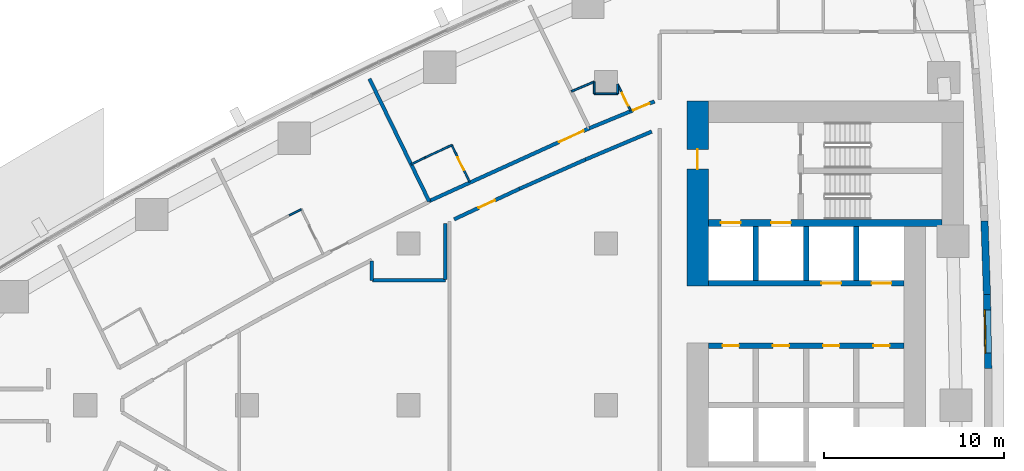
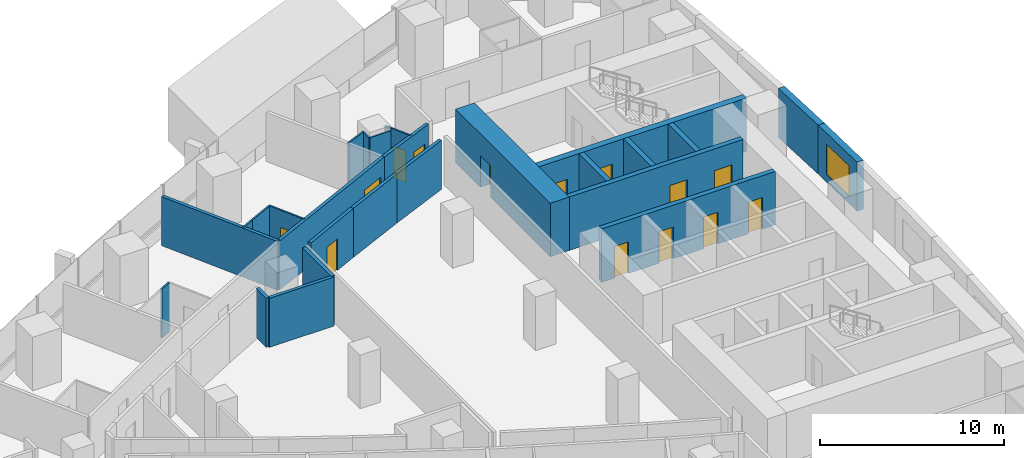
# One storey, part 12 of 19: 27 walls, 14 doors, 1 window, 15 openings.
"""IFC4 building model written with IfcOpenShell, lengths in metres."""

import ifcopenshell
import ifcopenshell.guid

model = None  # the IFC model being written
_history = None  # IfcOwnerHistory: only IFC2X3 demands one
_inside = {}  # id of a spatial element -> (the spatial element, [elements in it])
_under = {}  # id of a project, library or spatial element -> (it, [spatial elements below it])
_declared = {}  # id of a project -> (the project, [libraries it declares])
_typed = {}  # id of a type object -> (the type object, [elements of that type])
_made_of = {}  # id of a material, layer set ... -> (it, [elements and type objects made of it])


def new_model(schema):
    """Start an empty IFC model of exactly this schema.

    Asked for "IFC4X3", IfcOpenShell would pick the latest addendum, in which some entities
    have other attributes; the version numbers below select the first issue.
    IFC2X3 requires an IfcOwnerHistory on every rooted entity: one is made here for all.
    """
    global model, _history
    if schema == "IFC4X3":
        model = ifcopenshell.file(schema_version=(4, 3, 0, 0))
    else:
        model = ifcopenshell.file(schema=schema)
    _inside.clear()
    _under.clear()
    _declared.clear()
    _typed.clear()
    _made_of.clear()
    _history = None
    if model.schema == "IFC2X3":
        org = make("IfcOrganization", Name="unknown")
        user = make(
            "IfcPersonAndOrganization",
            ThePerson=make("IfcPerson", FamilyName="unknown"),
            TheOrganization=org,
        )
        app = make(
            "IfcApplication",
            ApplicationDeveloper=org,
            Version="unknown",
            ApplicationFullName="unknown",
            ApplicationIdentifier="unknown",
        )
        _history = make(
            "IfcOwnerHistory",
            OwningUser=user,
            OwningApplication=app,
            ChangeAction="ADDED",
            CreationDate=0,
        )
    return model


def make(cls, **values):
    """One entity of the class cls with the attributes given. An attribute that is None is left unset."""
    return model.create_entity(
        cls, **{name: value for name, value in values.items() if value is not None}
    )


def rooted(cls, **values):
    """An entity with a GlobalId (a new one), such as an element, a storey or a relation."""
    return make(cls, GlobalId=ifcopenshell.guid.new(), OwnerHistory=_history, **values)


def si_unit(unit_type, name, prefix=None):
    """IfcSIUnit, for example si_unit("LENGTHUNIT", "METRE", prefix="MILLI")."""
    return make("IfcSIUnit", UnitType=unit_type, Prefix=prefix, Name=name)


def assignment(units):
    """IfcUnitAssignment: the units of a project."""
    return None if units is None else make("IfcUnitAssignment", Units=units)


def point(xyz):
    """IfcCartesianPoint."""
    return None if xyz is None else make("IfcCartesianPoint", Coordinates=xyz)


def direction(xyz):
    """IfcDirection."""
    return None if xyz is None else make("IfcDirection", DirectionRatios=xyz)


def frame(location, z_axis=None, x_axis=None):
    """IfcAxis2Placement3D, a coordinate frame: its origin and axes. An axis left out is left unset."""
    return make(
        "IfcAxis2Placement3D",
        Location=point(location),
        Axis=direction(z_axis),
        RefDirection=direction(x_axis),
    )


def frame_2d(location, x_axis=None):
    """IfcAxis2Placement2D, a coordinate frame in the plane: its origin and x axis."""
    return make(
        "IfcAxis2Placement2D", Location=point(location), RefDirection=direction(x_axis)
    )


def origin():
    """The frame at (0, 0, 0) with its axes left unset."""
    return frame((0.0, 0.0, 0.0))


def place(relative_to, where):
    """IfcLocalPlacement: puts the frame where relative to a parent placement (None: the world)."""
    return make(
        "IfcLocalPlacement", PlacementRelTo=relative_to, RelativePlacement=where
    )


def context(
    kind, dimensions, precision=None, world=None, true_north=None, identifier=None
):
    """IfcGeometricRepresentationContext, for example the 3D "Model" context."""
    return make(
        "IfcGeometricRepresentationContext",
        ContextIdentifier=identifier,
        ContextType=kind,
        CoordinateSpaceDimension=dimensions,
        Precision=precision,
        WorldCoordinateSystem=world,
        TrueNorth=true_north,
    )


def subcontext(parent, identifier, kind, view, scale=None):
    """IfcGeometricRepresentationSubContext, for example "Body" below "Model"."""
    return make(
        "IfcGeometricRepresentationSubContext",
        ContextIdentifier=identifier,
        ContextType=kind,
        ParentContext=parent,
        TargetScale=scale,
        TargetView=view,
    )


def project(units=None, contexts=None):
    """IfcProject with its units and contexts."""
    return rooted(
        "IfcProject",
        Name="project",
        RepresentationContexts=contexts,
        UnitsInContext=assignment(units),
    )


def spatial(cls, under=None, at=None, **own):
    """A site, building, storey or space (cls), placed at a placement, below another one or the project."""
    s = rooted(cls, ObjectPlacement=at, **own)
    if under is not None:
        _under.setdefault(under.id(), (under, []))[1].append(s)
    return s


def polyline(points):
    """IfcPolyline through the points."""
    return make("IfcPolyline", Points=[point(p) for p in points])


def profile(cls, at=None, kind="AREA", **sizes):
    """A parametric profile (cls). Its sizes go by their IFC names, for example OverallWidth=200.0."""
    return make(cls, ProfileType=kind, Position=at, **sizes)


def rectangle(**sizes):
    """IfcRectangleProfileDef."""
    return profile("IfcRectangleProfileDef", **sizes)


def outline(outer, holes=None, kind="AREA"):
    """IfcArbitraryClosedProfileDef: a profile drawn as a closed curve; with holes, ...WithVoids."""
    if holes is None:
        return make("IfcArbitraryClosedProfileDef", ProfileType=kind, OuterCurve=outer)
    return make(
        "IfcArbitraryProfileDefWithVoids",
        ProfileType=kind,
        OuterCurve=outer,
        InnerCurves=holes,
    )


def extrude(swept, where, along, depth):
    """IfcExtrudedAreaSolid: the profile swept, set in the frame where, extruded along a direction by depth."""
    return make(
        "IfcExtrudedAreaSolid",
        SweptArea=swept,
        Position=where,
        ExtrudedDirection=direction(along),
        Depth=depth,
    )


def shape(context_of_items, identifier, shape_type, items):
    """IfcShapeRepresentation: the items that make up one representation, for example the "Body"."""
    return make(
        "IfcShapeRepresentation",
        ContextOfItems=context_of_items,
        RepresentationIdentifier=identifier,
        RepresentationType=shape_type,
        Items=items,
    )


def material(Name=None, Category=None):
    """IfcMaterial."""
    return make("IfcMaterial", Name=Name, Category=Category)


def layer(
    of_material, thickness, ventilated=None, Name=None, Category=None, Priority=None
):
    """IfcMaterialLayer: one layer of a wall or slab, of a material (None: an air gap)."""
    return make(
        "IfcMaterialLayer",
        Material=of_material,
        LayerThickness=thickness,
        IsVentilated=ventilated,
        Name=Name,
        Category=Category,
        Priority=Priority,
    )


def layer_set(layers, Name=None):
    """IfcMaterialLayerSet."""
    return make("IfcMaterialLayerSet", MaterialLayers=layers, LayerSetName=Name)


def made_of(thing, what):
    """Note that an element or type object is made of a material, layer set ...; save() writes the relation."""
    if what is not None:
        _made_of.setdefault(what.id(), (what, []))[1].append(thing)
    return thing


def type_object(cls, material=None, **own):
    """A type object (cls), such as IfcWallType, which elements share."""
    return made_of(rooted(cls, **own), material)


def element(
    cls,
    number,
    at=None,
    inside=None,
    cuts=None,
    type_object=None,
    material=None,
    context=None,
    identifier="Body",
    shape_type=None,
    held_by="IfcProductDefinitionShape",
    body=None,
    shapes=None,
    **own,
):
    """One element of the class cls, such as IfcWall. Its Tag is "e" and its number.

    at: its placement. inside: the storey or other place that contains it. cuts: it is an
    opening in that element (IfcRelVoidsElement). A single representation is given by context,
    identifier, shape_type and body (its items); several are given by shapes. held_by: the class
    of the entity that holds the representations. save() writes the other relations.
    """
    e = rooted(cls, Tag="e%d" % number, ObjectPlacement=at, **own)
    if body is not None:
        shapes = [shape(context, identifier, shape_type, body)]
    if shapes is not None:
        e.Representation = make(held_by, Representations=shapes)
    if inside is not None:
        _inside.setdefault(inside.id(), (inside, []))[1].append(e)
    if cuts is not None:
        rooted(
            "IfcRelVoidsElement", RelatingBuildingElement=cuts, RelatedOpeningElement=e
        )
    if type_object is not None:
        _typed.setdefault(type_object.id(), (type_object, []))[1].append(e)
    return made_of(e, material)


def fill(opening, filler):
    """IfcRelFillsElement: the door or window that sits in an opening."""
    return rooted(
        "IfcRelFillsElement",
        RelatingOpeningElement=opening,
        RelatedBuildingElement=filler,
    )


def aggregate(whole, parts):
    """IfcRelAggregates: a whole, such as a stair, and the parts it consists of."""
    return rooted("IfcRelAggregates", RelatingObject=whole, RelatedObjects=parts)


def save(model, path):
    """Write the relations noted so far, then the file.

    IfcRelAggregates (storeys below a building ...), IfcRelContainedInSpatialStructure (elements
    in a storey), IfcRelDefinesByType, IfcRelAssociatesMaterial and IfcRelDeclares: one each for
    every whole, place, type object, material and project.
    """
    for whole, parts in _under.values():
        aggregate(whole, parts)
    for where, things in _inside.values():
        rooted(
            "IfcRelContainedInSpatialStructure",
            RelatedElements=things,
            RelatingStructure=where,
        )
    for kind, things in _typed.values():
        rooted("IfcRelDefinesByType", RelatedObjects=things, RelatingType=kind)
    for what, things in _made_of.values():
        rooted("IfcRelAssociatesMaterial", RelatedObjects=things, RelatingMaterial=what)
    for by, libraries in _declared.values():
        rooted("IfcRelDeclares", RelatingContext=by, RelatedDefinitions=libraries)
    model.write(path)


model = new_model("IFC4")

# Units and contexts
model_context = context("Model", 3, precision=1e-05, world=origin(), true_north=direction((0.0, 1.0)))
body_context = subcontext(model_context, "Body", "Model", "MODEL_VIEW")
ifc_project = project(units=[si_unit("LENGTHUNIT", "METRE"), si_unit("AREAUNIT", "SQUARE_METRE"), si_unit("VOLUMEUNIT", "CUBIC_METRE"), si_unit("PLANEANGLEUNIT", "RADIAN"), si_unit("MASSUNIT", "GRAM", prefix="KILO")], contexts=[model_context])

# Site, building, storey
site_placement = place(None, origin())
site = spatial("IfcSite", under=ifc_project, at=site_placement, CompositionType="ELEMENT")
building_placement = place(site_placement, origin())
building = spatial("IfcBuilding", under=site, at=building_placement, Name="Ostrand Prow Hotel Tower", CompositionType="ELEMENT")
storey_placement = place(building_placement, frame((0.0, 0.0, 64.449951171875)))
storey = spatial("IfcBuildingStorey", under=building, at=storey_placement, Name="L14", CompositionType="ELEMENT", Elevation=64.449951171875)

# Wall, opening, door
ifc_material_1 = material(Name="Concrete C80/95", Category="concrete")
ifc_layer_1 = layer(ifc_material_1, 1.199951171875)
ifc_layer_set_1 = layer_set([ifc_layer_1], Name="Concrete C80/95")
wall_type_1 = type_object("IfcWallType", Name="Core wall 1200 C80/95", PredefinedType="SHEAR", material=ifc_layer_set_1)
wall_1_placement = place(storey_placement, frame((50.10009765625, 6.64990234375, 0.0), z_axis=(0.0, 0.0, 1.0), x_axis=(0.0, 1.0, 0.0)))
wall_1 = element("IfcWall", 1, at=wall_1_placement, inside=storey, type_object=wall_type_1, Name="Core wall CW-W-N", PredefinedType="SHEAR", context=body_context, shape_type="SweptSolid", body=[
    extrude(rectangle(XDim=10.300048828125, YDim=1.199951171875, at=frame_2d((5.14990234375, 0.0))), origin(), (0.0, 0.0, 1.0), 3.550048828125),
])
opening_1_placement = place(wall_1_placement, frame((6.5, 0.0, 0.0)))
opening_1 = element("IfcOpeningElement", 2, at=opening_1_placement, cuts=wall_1, Name="Opening FD1", PredefinedType="OPENING", context=body_context, shape_type="SweptSolid", body=[
    extrude(rectangle(XDim=1.10009765625, YDim=2.10009765625, at=frame_2d((0.550048828125, 1.050048828125))), frame((0.0, 0.60986328125, 0.0), z_axis=(0.0, -1.0, 0.0), x_axis=(1.0, 0.0, 0.0)), (0.0, 0.0, 1.0), 1.219970703125),
])
ifc_material_2 = material(Name="Steel fire door", Category="steel")
door_type_1 = type_object("IfcDoorType", Name="Fire door 1100 EI120", OperationType="SINGLE_SWING_RIGHT", PredefinedType="DOOR", material=ifc_material_2)
door_1_placement = place(opening_1_placement, origin())
door_1 = element("IfcDoor", 3, at=door_1_placement, inside=storey, type_object=door_type_1, Name="FIRE DOOR", OperationType="SINGLE_SWING_RIGHT", OverallHeight=2.10009765625, OverallWidth=1.10009765625, PredefinedType="DOOR", context=body_context, shape_type="SweptSolid", body=[
    extrude(rectangle(XDim=1.10009765625, YDim=2.10009765625, at=frame_2d((0.550048828125, 1.050048828125))), frame((0.0, 0.02490234375, 0.0), z_axis=(0.0, -1.0, 0.0), x_axis=(1.0, 0.0, 0.0)), (0.0, 0.0, 1.0), 0.050048828125),
])
fill(opening_1, door_1)

# Wall, openings, doors
ifc_material_3 = material(Name="Concrete C80/95", Category="concrete")
ifc_layer_2 = layer(ifc_material_3, 0.300048828125)
ifc_layer_set_2 = layer_set([ifc_layer_2], Name="Concrete C80/95")
wall_type_2 = type_object("IfcWallType", Name="Core wall 300 C80/95", PredefinedType="SHEAR", material=ifc_layer_set_2)
wall_2_placement = place(storey_placement, frame((50.699951171875, 3.300048828125, 0.0), z_axis=(0.0, 0.0, 1.0), x_axis=(1.0, 0.0, 0.0)))
wall_2 = element("IfcWall", 4, at=wall_2_placement, inside=storey, type_object=wall_type_2, Name="Core wall PW-L1-N", PredefinedType="SHEAR", context=body_context, shape_type="SweptSolid", body=[
    extrude(rectangle(XDim=10.900146484375, YDim=0.300048828125, at=frame_2d((5.4501953125, 0.0))), origin(), (0.0, 0.0, 1.0), 3.550048828125),
])
opening_2_placement = place(wall_2_placement, frame((0.800048828125, 0.0, 0.0)))
opening_2 = element("IfcOpeningElement", 5, at=opening_2_placement, cuts=wall_2, Name="Opening FD2", PredefinedType="OPENING", context=body_context, shape_type="SweptSolid", body=[
    extrude(rectangle(XDim=0.89990234375, YDim=2.10009765625, at=frame_2d((0.449951171875, 1.050048828125))), frame((0.0, 0.159912109375, 0.0), z_axis=(0.0, -1.0, 0.0), x_axis=(1.0, 0.0, 0.0)), (0.0, 0.0, 1.0), 0.320068359375),
])
opening_3_placement = place(wall_2_placement, frame((3.60009765625, 0.0, 0.0)))
opening_3 = element("IfcOpeningElement", 6, at=opening_3_placement, cuts=wall_2, Name="Opening FD2", PredefinedType="OPENING", context=body_context, shape_type="SweptSolid", body=[
    extrude(rectangle(XDim=0.89990234375, YDim=2.10009765625, at=frame_2d((0.449951171875, 1.050048828125))), frame((0.0, 0.159912109375, 0.0), z_axis=(0.0, -1.0, 0.0), x_axis=(1.0, 0.0, 0.0)), (0.0, 0.0, 1.0), 0.320068359375),
])
opening_4_placement = place(wall_2_placement, frame((6.39990234375, 0.0, 0.0)))
opening_4 = element("IfcOpeningElement", 7, at=opening_4_placement, cuts=wall_2, Name="Opening FD2", PredefinedType="OPENING", context=body_context, shape_type="SweptSolid", body=[
    extrude(rectangle(XDim=0.89990234375, YDim=2.10009765625, at=frame_2d((0.449951171875, 1.050048828125))), frame((0.0, 0.159912109375, 0.0), z_axis=(0.0, -1.0, 0.0), x_axis=(1.0, 0.0, 0.0)), (0.0, 0.0, 1.0), 0.320068359375),
])
opening_5_placement = place(wall_2_placement, frame((9.199951171875, 0.0, 0.0)))
opening_5 = element("IfcOpeningElement", 8, at=opening_5_placement, cuts=wall_2, Name="Opening FD2", PredefinedType="OPENING", context=body_context, shape_type="SweptSolid", body=[
    extrude(rectangle(XDim=0.89990234375, YDim=2.10009765625, at=frame_2d((0.449951171875, 1.050048828125))), frame((0.0, 0.159912109375, 0.0), z_axis=(0.0, -1.0, 0.0), x_axis=(1.0, 0.0, 0.0)), (0.0, 0.0, 1.0), 0.320068359375),
])
ifc_material_4 = material(Name="Steel fire door", Category="steel")
door_type_2 = type_object("IfcDoorType", Name="Fire door 900 EI120", OperationType="SINGLE_SWING_LEFT", PredefinedType="DOOR", material=ifc_material_4)
door_2_placement = place(opening_2_placement, origin())
door_2 = element("IfcDoor", 9, at=door_2_placement, inside=storey, type_object=door_type_2, Name="DOOR", OperationType="SINGLE_SWING_LEFT", OverallHeight=2.10009765625, OverallWidth=0.89990234375, PredefinedType="DOOR", context=body_context, shape_type="SweptSolid", body=[
    extrude(rectangle(XDim=0.89990234375, YDim=2.10009765625, at=frame_2d((0.449951171875, 1.050048828125))), frame((0.0, 0.02490234375, 0.0), z_axis=(0.0, -1.0, 0.0), x_axis=(1.0, 0.0, 0.0)), (0.0, 0.0, 1.0), 0.050048828125),
])
fill(opening_2, door_2)
door_3_placement = place(opening_3_placement, origin())
door_3 = element("IfcDoor", 10, at=door_3_placement, inside=storey, type_object=door_type_2, Name="DOOR", OperationType="SINGLE_SWING_LEFT", OverallHeight=2.10009765625, OverallWidth=0.89990234375, PredefinedType="DOOR", context=body_context, shape_type="SweptSolid", body=[
    extrude(rectangle(XDim=0.89990234375, YDim=2.10009765625, at=frame_2d((0.449951171875, 1.050048828125))), frame((0.0, 0.02490234375, 0.0), z_axis=(0.0, -1.0, 0.0), x_axis=(1.0, 0.0, 0.0)), (0.0, 0.0, 1.0), 0.050048828125),
])
fill(opening_3, door_3)
door_4_placement = place(opening_4_placement, origin())
door_4 = element("IfcDoor", 11, at=door_4_placement, inside=storey, type_object=door_type_2, Name="DOOR", OperationType="SINGLE_SWING_LEFT", OverallHeight=2.10009765625, OverallWidth=0.89990234375, PredefinedType="DOOR", context=body_context, shape_type="SweptSolid", body=[
    extrude(rectangle(XDim=0.89990234375, YDim=2.10009765625, at=frame_2d((0.449951171875, 1.050048828125))), frame((0.0, 0.02490234375, 0.0), z_axis=(0.0, -1.0, 0.0), x_axis=(1.0, 0.0, 0.0)), (0.0, 0.0, 1.0), 0.050048828125),
])
fill(opening_4, door_4)
door_5_placement = place(opening_5_placement, origin())
door_5 = element("IfcDoor", 12, at=door_5_placement, inside=storey, type_object=door_type_2, Name="DOOR", OperationType="SINGLE_SWING_LEFT", OverallHeight=2.10009765625, OverallWidth=0.89990234375, PredefinedType="DOOR", context=body_context, shape_type="SweptSolid", body=[
    extrude(rectangle(XDim=0.89990234375, YDim=2.10009765625, at=frame_2d((0.449951171875, 1.050048828125))), frame((0.0, 0.02490234375, 0.0), z_axis=(0.0, -1.0, 0.0), x_axis=(1.0, 0.0, 0.0)), (0.0, 0.0, 1.0), 0.050048828125),
])
fill(opening_5, door_5)

wall_3_placement = place(storey_placement, frame((50.699951171875, 6.800048828125, 0.0), z_axis=(0.0, 0.0, 1.0), x_axis=(1.0, 0.0, 0.0)))
wall_3 = element("IfcWall", 13, at=wall_3_placement, inside=storey, type_object=wall_type_2, Name="Core wall PW-L2-N", PredefinedType="SHEAR", context=body_context, shape_type="SweptSolid", body=[
    extrude(rectangle(XDim=10.900146484375, YDim=0.300048828125, at=frame_2d((5.4501953125, 0.0))), origin(), (0.0, 0.0, 1.0), 3.550048828125),
])
opening_6_placement = place(wall_3_placement, frame((6.300048828125, 0.0, 0.0)))
opening_6 = element("IfcOpeningElement", 14, at=opening_6_placement, cuts=wall_3, Name="Opening LD", PredefinedType="OPENING", context=body_context, shape_type="SweptSolid", body=[
    extrude(rectangle(XDim=1.10009765625, YDim=2.10009765625, at=frame_2d((0.550048828125, 1.050048828125))), frame((0.0, 0.159912109375, 0.0), z_axis=(0.0, -1.0, 0.0), x_axis=(1.0, 0.0, 0.0)), (0.0, 0.0, 1.0), 0.320068359375),
])
opening_7_placement = place(wall_3_placement, frame((9.10009765625, 0.0, 0.0)))
opening_7 = element("IfcOpeningElement", 15, at=opening_7_placement, cuts=wall_3, Name="Opening LD", PredefinedType="OPENING", context=body_context, shape_type="SweptSolid", body=[
    extrude(rectangle(XDim=1.10009765625, YDim=2.10009765625, at=frame_2d((0.550048828125, 1.050048828125))), frame((0.0, 0.159912109375, 0.0), z_axis=(0.0, -1.0, 0.0), x_axis=(1.0, 0.0, 0.0)), (0.0, 0.0, 1.0), 0.320068359375),
])
ifc_material_5 = material(Name="Stainless steel door", Category="steel")
door_type_3 = type_object("IfcDoorType", Name="Lift landing door 1100", OperationType="DOUBLE_DOOR_SLIDING", PredefinedType="DOOR", material=ifc_material_5)
door_6_placement = place(opening_6_placement, origin())
door_6 = element("IfcDoor", 16, at=door_6_placement, inside=storey, type_object=door_type_3, Name="LIFT LANDING DOOR", OperationType="DOUBLE_DOOR_SLIDING", OverallHeight=2.10009765625, OverallWidth=1.10009765625, PredefinedType="DOOR", context=body_context, shape_type="SweptSolid", body=[
    extrude(rectangle(XDim=1.10009765625, YDim=2.10009765625, at=frame_2d((0.550048828125, 1.050048828125))), frame((0.0, 0.02490234375, 0.0), z_axis=(0.0, -1.0, 0.0), x_axis=(1.0, 0.0, 0.0)), (0.0, 0.0, 1.0), 0.050048828125),
])
fill(opening_6, door_6)
door_7_placement = place(opening_7_placement, origin())
door_7 = element("IfcDoor", 17, at=door_7_placement, inside=storey, type_object=door_type_3, Name="LIFT LANDING DOOR", OperationType="DOUBLE_DOOR_SLIDING", OverallHeight=2.10009765625, OverallWidth=1.10009765625, PredefinedType="DOOR", context=body_context, shape_type="SweptSolid", body=[
    extrude(rectangle(XDim=1.10009765625, YDim=2.10009765625, at=frame_2d((0.550048828125, 1.050048828125))), frame((0.0, 0.02490234375, 0.0), z_axis=(0.0, -1.0, 0.0), x_axis=(1.0, 0.0, 0.0)), (0.0, 0.0, 1.0), 0.050048828125),
])
fill(opening_7, door_7)

# Walls
for number, where, z_axis, x_axis, name in (
    (18, (53.35009765625, 6.949951171875, 0.0), (0.0, 0.0, 1.0), (0.0, 1.0, 0.0), "Core wall PW-R1-NA"),
    (19, (56.14990234375, 6.949951171875, 0.0), (0.0, 0.0, 1.0), (0.0, 1.0, 0.0), "Core wall PW-R2-NA"),
    (20, (58.949951171875, 6.949951171875, 0.0), (0.0, 0.0, 1.0), (0.0, 1.0, 0.0), "Core wall PW-R3-NA"),
):
    element("IfcWall", number, at=place(storey_placement, frame(where, z_axis=z_axis, x_axis=x_axis)), inside=storey, type_object=wall_type_2, Name=name, PredefinedType="SHEAR", context=body_context, shape_type="SweptSolid", body=[
        extrude(rectangle(XDim=3.0, YDim=0.300048828125, at=frame_2d((1.5, 0.0))), origin(), (0.0, 0.0, 1.0), 3.550048828125),
    ])

# Wall, openings, doors
ifc_material_6 = material(Name="Concrete C80/95", Category="concrete")
ifc_layer_3 = layer(ifc_material_6, 0.39990234375)
ifc_layer_set_3 = layer_set([ifc_layer_3], Name="Concrete C80/95")
wall_type_3 = type_object("IfcWallType", Name="Core wall 400 C80/95", PredefinedType="SHEAR", material=ifc_layer_set_3)
wall_4_placement = place(storey_placement, frame((50.699951171875, 10.14990234375, 0.0), z_axis=(0.0, 0.0, 1.0), x_axis=(1.0, 0.0, 0.0)))
wall_4 = element("IfcWall", 21, at=wall_4_placement, inside=storey, type_object=wall_type_3, Name="Core wall PW-BN", PredefinedType="SHEAR", context=body_context, shape_type="SweptSolid", body=[
    extrude(rectangle(XDim=13.02001953125, YDim=0.39990234375, at=frame_2d((6.510009765625, 0.0))), origin(), (0.0, 0.0, 1.0), 3.550048828125),
])
opening_8_placement = place(wall_4_placement, frame((0.699951171875, 0.0, 0.0)))
opening_8 = element("IfcOpeningElement", 22, at=opening_8_placement, cuts=wall_4, Name="Opening LD", PredefinedType="OPENING", context=body_context, shape_type="SweptSolid", body=[
    extrude(rectangle(XDim=1.10009765625, YDim=2.10009765625, at=frame_2d((0.550048828125, 1.050048828125))), frame((0.0, 0.2099609375, 0.0), z_axis=(0.0, -1.0, 0.0), x_axis=(1.0, 0.0, 0.0)), (0.0, 0.0, 1.0), 0.419921875),
])
opening_9_placement = place(wall_4_placement, frame((3.5, 0.0, 0.0)))
opening_9 = element("IfcOpeningElement", 23, at=opening_9_placement, cuts=wall_4, Name="Opening LD", PredefinedType="OPENING", context=body_context, shape_type="SweptSolid", body=[
    extrude(rectangle(XDim=1.10009765625, YDim=2.10009765625, at=frame_2d((0.550048828125, 1.050048828125))), frame((0.0, 0.2099609375, 0.0), z_axis=(0.0, -1.0, 0.0), x_axis=(1.0, 0.0, 0.0)), (0.0, 0.0, 1.0), 0.419921875),
])
door_8_placement = place(opening_8_placement, origin())
door_8 = element("IfcDoor", 24, at=door_8_placement, inside=storey, type_object=door_type_3, Name="LIFT LANDING DOOR", OperationType="DOUBLE_DOOR_SLIDING", OverallHeight=2.10009765625, OverallWidth=1.10009765625, PredefinedType="DOOR", context=body_context, shape_type="SweptSolid", body=[
    extrude(rectangle(XDim=1.10009765625, YDim=2.10009765625, at=frame_2d((0.550048828125, 1.050048828125))), frame((0.0, 0.02490234375, 0.0), z_axis=(0.0, -1.0, 0.0), x_axis=(1.0, 0.0, 0.0)), (0.0, 0.0, 1.0), 0.050048828125),
])
fill(opening_8, door_8)
door_9_placement = place(opening_9_placement, origin())
door_9 = element("IfcDoor", 25, at=door_9_placement, inside=storey, type_object=door_type_3, Name="LIFT LANDING DOOR", OperationType="DOUBLE_DOOR_SLIDING", OverallHeight=2.10009765625, OverallWidth=1.10009765625, PredefinedType="DOOR", context=body_context, shape_type="SweptSolid", body=[
    extrude(rectangle(XDim=1.10009765625, YDim=2.10009765625, at=frame_2d((0.550048828125, 1.050048828125))), frame((0.0, 0.02490234375, 0.0), z_axis=(0.0, -1.0, 0.0), x_axis=(1.0, 0.0, 0.0)), (0.0, 0.0, 1.0), 0.050048828125),
])
fill(opening_9, door_9)

# Walls
ifc_material_7 = material(Name="Plasterboard partition")
ifc_layer_4 = layer(ifc_material_7, 0.10009765625)
ifc_layer_set_4 = layer_set([ifc_layer_4], Name="Plasterboard partition")
wall_type_4 = type_object("IfcWallType", Name="Partition 100 bathroom wall", PredefinedType="PARTITIONING", material=ifc_layer_set_4)
wall_5_placement = place(storey_placement, frame((27.36328125, 10.56787109375, 0.0), z_axis=(0.0, 0.0, 1.0), x_axis=(0.890195653003, 0.455578422858, 0.0)))
element("IfcWall", 26, at=wall_5_placement, inside=storey, type_object=wall_type_4, Name="BATHROOM WALL", PredefinedType="PARTITIONING", context=body_context, shape_type="SweptSolid", body=[
    extrude(rectangle(XDim=0.745361328125, YDim=0.10009765625, at=frame_2d((0.37255859375, 0.0))), origin(), (0.0, 0.0, 1.0), 3.25),
])
wall_6_placement = place(storey_placement, frame((34.1484375, 13.41162109375, 0.0), z_axis=(0.0, 0.0, 1.0), x_axis=(0.89828999443, 0.43940310184, 0.0)))
element("IfcWall", 27, at=wall_6_placement, inside=storey, type_object=wall_type_4, Name="BATHROOM WALL", PredefinedType="PARTITIONING", context=body_context, shape_type="SweptSolid", body=[
    extrude(rectangle(XDim=0.839599609375, YDim=0.10009765625, at=frame_2d((0.419921875, 0.0))), origin(), (0.0, 0.0, 1.0), 3.25),
])
wall_7_placement = place(storey_placement, frame((34.902587890625, 13.780517578125, 0.0), z_axis=(0.0, 0.0, 1.0), x_axis=(0.906434605418, 0.422346192242, 0.0)))
element("IfcWall", 28, at=wall_7_placement, inside=storey, type_object=wall_type_4, Name="BATHROOM WALL", PredefinedType="PARTITIONING", context=body_context, shape_type="SweptSolid", body=[
    extrude(rectangle(XDim=1.66064453125, YDim=0.10009765625, at=frame_2d((0.830322265625, 0.0))), origin(), (0.0, 0.0, 1.0), 3.25),
])

# Wall, opening, door
wall_8_placement = place(storey_placement, frame((36.407958984375, 14.48193359375, 0.0), z_axis=(0.0, 0.0, 1.0), x_axis=(0.438271544149, -0.898842618921, 0.0)))
wall_8 = element("IfcWall", 29, at=wall_8_placement, inside=storey, type_object=wall_type_4, Name="BATHROOM WALL", PredefinedType="PARTITIONING", context=body_context, shape_type="SweptSolid", body=[
    extrude(rectangle(XDim=2.27734375, YDim=0.10009765625, at=frame_2d((1.138671875, 0.0))), origin(), (0.0, 0.0, 1.0), 3.25),
])
opening_10_placement = place(wall_8_placement, frame((0.75, 0.0, 0.0)))
opening_10 = element("IfcOpeningElement", 30, at=opening_10_placement, cuts=wall_8, Name="Opening D2", PredefinedType="OPENING", context=body_context, shape_type="SweptSolid", body=[
    extrude(rectangle(XDim=0.800048828125, YDim=2.10009765625, at=frame_2d((0.39990234375, 1.050048828125))), frame((0.0, 0.06005859375, 0.0), z_axis=(0.0, -1.0, 0.0), x_axis=(1.0, 0.0, 0.0)), (0.0, 0.0, 1.0), 0.1201171875),
])
ifc_material_8 = material(Name="Timber door leaf", Category="wood")
door_type_4 = type_object("IfcDoorType", Name="Bathroom door 800", OperationType="SINGLE_SWING_LEFT", PredefinedType="DOOR", material=ifc_material_8)
door_10_placement = place(opening_10_placement, origin())
door_10 = element("IfcDoor", 31, at=door_10_placement, inside=storey, type_object=door_type_4, Name="DOOR", OperationType="SINGLE_SWING_LEFT", OverallHeight=2.10009765625, OverallWidth=0.800048828125, PredefinedType="DOOR", context=body_context, shape_type="SweptSolid", body=[
    extrude(rectangle(XDim=0.800048828125, YDim=2.10009765625, at=frame_2d((0.39990234375, 1.050048828125))), frame((0.0, 0.02490234375, 0.0), z_axis=(0.0, -1.0, 0.0), x_axis=(1.0, 0.0, 0.0)), (0.0, 0.0, 1.0), 0.050048828125),
])
fill(opening_10, door_10)

# Walls
wall_9_placement = place(storey_placement, frame((43.071044921875, 17.47314453125, 0.0), z_axis=(0.0, 0.0, 1.0), x_axis=(0.921313965742, 0.388819465214, 0.0)))
element("IfcWall", 32, at=wall_9_placement, inside=storey, type_object=wall_type_4, Name="BATHROOM WALL", PredefinedType="PARTITIONING", context=body_context, shape_type="SweptSolid", body=[
    extrude(rectangle(XDim=1.38818359375, YDim=0.10009765625, at=frame_2d((0.694091796875, 0.0))), origin(), (0.0, 0.0, 1.0), 3.25),
])
wall_10_placement = place(storey_placement, frame((44.35009765625, 18.012939453125, 0.0), z_axis=(0.0, 0.0, 1.0), x_axis=(0.0, -1.0, 0.0)))
element("IfcWall", 33, at=wall_10_placement, inside=storey, type_object=wall_type_4, Name="BATHROOM WALL", PredefinedType="PARTITIONING", context=body_context, shape_type="SweptSolid", body=[
    extrude(rectangle(XDim=0.660888671875, YDim=0.10009765625, at=frame_2d((0.33056640625, 0.0))), origin(), (0.0, 0.0, 1.0), 3.25),
])
wall_11_placement = place(storey_placement, frame((44.35205078125, 17.35009765625, 0.0), z_axis=(0.0, 0.0, 1.0), x_axis=(1.0, 0.0, 0.0)))
element("IfcWall", 34, at=wall_11_placement, inside=storey, type_object=wall_type_4, Name="BATHROOM WALL", PredefinedType="PARTITIONING", context=body_context, shape_type="SweptSolid", body=[
    extrude(rectangle(XDim=1.2958984375, YDim=0.10009765625, at=frame_2d((0.64794921875, 0.0))), origin(), (0.0, 0.0, 1.0), 3.25),
])
wall_12_placement = place(storey_placement, frame((45.64990234375, 17.35205078125, 0.0), z_axis=(0.0, 0.0, 1.0), x_axis=(0.0, 1.0, 0.0)))
element("IfcWall", 35, at=wall_12_placement, inside=storey, type_object=wall_type_4, Name="BATHROOM WALL", PredefinedType="PARTITIONING", context=body_context, shape_type="SweptSolid", body=[
    extrude(rectangle(XDim=0.535888671875, YDim=0.10009765625, at=frame_2d((0.26806640625, 0.0))), origin(), (0.0, 0.0, 1.0), 3.25),
])

# Wall, opening, door
wall_13_placement = place(storey_placement, frame((45.64990234375, 17.887939453125, 0.0), z_axis=(0.0, 0.0, 1.0), x_axis=(0.438301838547, -0.89882784688, 0.0)))
wall_13 = element("IfcWall", 36, at=wall_13_placement, inside=storey, type_object=wall_type_4, Name="BATHROOM WALL", PredefinedType="PARTITIONING", context=body_context, shape_type="SweptSolid", body=[
    extrude(rectangle(XDim=1.65869140625, YDim=0.10009765625, at=frame_2d((0.829345703125, 0.0))), origin(), (0.0, 0.0, 1.0), 3.25),
])
opening_11_placement = place(wall_13_placement, frame((0.550048828125, 0.0, 0.0)))
opening_11 = element("IfcOpeningElement", 37, at=opening_11_placement, cuts=wall_13, Name="Opening D2", PredefinedType="OPENING", context=body_context, shape_type="SweptSolid", body=[
    extrude(rectangle(XDim=0.800048828125, YDim=2.10009765625, at=frame_2d((0.39990234375, 1.050048828125))), frame((0.0, 0.06005859375, 0.0), z_axis=(0.0, -1.0, 0.0), x_axis=(1.0, 0.0, 0.0)), (0.0, 0.0, 1.0), 0.1201171875),
])
door_11_placement = place(opening_11_placement, origin())
door_11 = element("IfcDoor", 38, at=door_11_placement, inside=storey, type_object=door_type_4, Name="DOOR", OperationType="SINGLE_SWING_LEFT", OverallHeight=2.10009765625, OverallWidth=0.800048828125, PredefinedType="DOOR", context=body_context, shape_type="SweptSolid", body=[
    extrude(rectangle(XDim=0.800048828125, YDim=2.10009765625, at=frame_2d((0.39990234375, 1.050048828125))), frame((0.0, 0.02490234375, 0.0), z_axis=(0.0, -1.0, 0.0), x_axis=(1.0, 0.0, 0.0)), (0.0, 0.0, 1.0), 0.050048828125),
])
fill(opening_11, door_11)

ifc_material_9 = material(Name="Plasterboard partition")
ifc_layer_5 = layer(ifc_material_9, 0.199951171875)
ifc_layer_set_5 = layer_set([ifc_layer_5], Name="Plasterboard partition")
wall_type_5 = type_object("IfcWallType", Name="Partition 200 corridor wall", PredefinedType="PARTITIONING", material=ifc_layer_set_5)
wall_14_placement = place(storey_placement, frame((44.071533203125, 15.420654296875, 0.0), z_axis=(0.0, 0.0, 1.0), x_axis=(-0.910287143541, -0.413977434534, 0.0)))
wall_14 = element("IfcWall", 39, at=wall_14_placement, inside=storey, type_object=wall_type_5, Name="CORRIDOR WALL", PredefinedType="PARTITIONING", context=body_context, shape_type="SweptSolid", body=[
    extrude(rectangle(XDim=9.80322265625, YDim=0.199951171875, at=frame_2d((4.901611328125, 0.0))), origin(), (0.0, 0.0, 1.0), 3.25),
])
opening_12_placement = place(wall_14_placement, frame((0.35009765625, 0.0, 0.0)))
opening_12 = element("IfcOpeningElement", 40, at=opening_12_placement, cuts=wall_14, Name="Opening D15", PredefinedType="OPENING", context=body_context, shape_type="SweptSolid", body=[
    extrude(rectangle(XDim=1.5, YDim=2.10009765625, at=frame_2d((0.75, 1.050048828125))), frame((0.0, 0.10986328125, 0.0), z_axis=(0.0, -1.0, 0.0), x_axis=(1.0, 0.0, 0.0)), (0.0, 0.0, 1.0), 0.219970703125),
])
ifc_material_10 = material(Name="Timber door leaf", Category="wood")
door_type_5 = type_object("IfcDoorType", Name="Double door 1500", OperationType="DOUBLE_DOOR_SINGLE_SWING", PredefinedType="DOOR", material=ifc_material_10)
door_12_placement = place(opening_12_placement, origin())
door_12 = element("IfcDoor", 41, at=door_12_placement, inside=storey, type_object=door_type_5, Name="DOOR", OperationType="DOUBLE_DOOR_SINGLE_SWING", OverallHeight=2.10009765625, OverallWidth=1.5, PredefinedType="DOOR", context=body_context, shape_type="SweptSolid", body=[
    extrude(rectangle(XDim=1.5, YDim=2.10009765625, at=frame_2d((0.75, 1.050048828125))), frame((0.0, 0.02490234375, 0.0), z_axis=(0.0, -1.0, 0.0), x_axis=(1.0, 0.0, 0.0)), (0.0, 0.0, 1.0), 0.050048828125),
])
fill(opening_12, door_12)

wall_15_placement = place(storey_placement, frame((36.5400390625, 10.35107421875, 0.0), z_axis=(0.0, 0.0, 1.0), x_axis=(0.906347708834, 0.42253263861, 0.0)))
wall_15 = element("IfcWall", 42, at=wall_15_placement, inside=storey, type_object=wall_type_5, Name="CORRIDOR WALL", PredefinedType="PARTITIONING", context=body_context, shape_type="SweptSolid", body=[
    extrude(rectangle(XDim=4.015625, YDim=0.199951171875, at=frame_2d((2.0078125, 0.0))), origin(), (0.0, 0.0, 1.0), 3.25),
])
opening_13_placement = place(wall_15_placement, frame((1.5078125, 0.0, 0.0)))
opening_13 = element("IfcOpeningElement", 43, at=opening_13_placement, cuts=wall_15, Name="Opening D1R", PredefinedType="OPENING", context=body_context, shape_type="SweptSolid", body=[
    extrude(rectangle(XDim=1.0, YDim=2.10009765625, at=frame_2d((0.5, 1.050048828125))), frame((0.0, 0.10986328125, 0.0), z_axis=(0.0, -1.0, 0.0), x_axis=(1.0, 0.0, 0.0)), (0.0, 0.0, 1.0), 0.219970703125),
])
ifc_material_11 = material(Name="Timber door leaf", Category="wood")
door_type_6 = type_object("IfcDoorType", Name="Guest room door 1000 right", OperationType="SINGLE_SWING_RIGHT", PredefinedType="DOOR", material=ifc_material_11)
door_13_placement = place(opening_13_placement, origin())
door_13 = element("IfcDoor", 44, at=door_13_placement, inside=storey, type_object=door_type_6, Name="DOOR", OperationType="SINGLE_SWING_RIGHT", OverallHeight=2.10009765625, OverallWidth=1.0, PredefinedType="DOOR", context=body_context, shape_type="SweptSolid", body=[
    extrude(rectangle(XDim=1.0, YDim=2.10009765625, at=frame_2d((0.5, 1.050048828125))), frame((0.0, 0.02490234375, 0.0), z_axis=(0.0, -1.0, 0.0), x_axis=(1.0, 0.0, 0.0)), (0.0, 0.0, 1.0), 0.050048828125),
])
fill(opening_13, door_13)

# Walls
wall_16_placement = place(storey_placement, frame((40.1796875, 12.0478515625, 0.0), z_axis=(0.0, 0.0, 1.0), x_axis=(0.913986953061, 0.405743576209, 0.0)))
element("IfcWall", 45, at=wall_16_placement, inside=storey, type_object=wall_type_5, Name="CORRIDOR WALL", PredefinedType="PARTITIONING", context=body_context, shape_type="SweptSolid", body=[
    extrude(rectangle(XDim=4.015869140625, YDim=0.199951171875, at=frame_2d((2.0078125, 0.0))), origin(), (0.0, 0.0, 1.0), 3.25),
])
wall_17_placement = place(storey_placement, frame((43.85009765625, 13.67724609375, 0.0), z_axis=(0.0, 0.0, 1.0), x_axis=(0.921269894054, 0.388923877269, 0.0)))
element("IfcWall", 46, at=wall_17_placement, inside=storey, type_object=wall_type_5, Name="CORRIDOR WALL", PredefinedType="PARTITIONING", context=body_context, shape_type="SweptSolid", body=[
    extrude(rectangle(XDim=4.015625, YDim=0.199951171875, at=frame_2d((2.0078125, 0.0))), origin(), (0.0, 0.0, 1.0), 3.25),
])

# Wall, opening, door
wall_18_placement = place(storey_placement, frame((47.703857421875, 16.91748046875, 0.0), z_axis=(0.0, 0.0, 1.0), x_axis=(-0.924573816857, -0.381002962169, 0.0)))
wall_18 = element("IfcWall", 47, at=wall_18_placement, inside=storey, type_object=wall_type_5, Name="CORRIDOR WALL", PredefinedType="PARTITIONING", context=body_context, shape_type="SweptSolid", body=[
    extrude(rectangle(XDim=3.9287109375, YDim=0.199951171875, at=frame_2d((1.96435546875, 0.0))), origin(), (0.0, 0.0, 1.0), 3.25),
])
opening_14_placement = place(wall_18_placement, frame((0.300048828125, 0.0, 0.0)))
opening_14 = element("IfcOpeningElement", 48, at=opening_14_placement, cuts=wall_18, Name="Opening D1R", PredefinedType="OPENING", context=body_context, shape_type="SweptSolid", body=[
    extrude(rectangle(XDim=1.0, YDim=2.10009765625, at=frame_2d((0.5, 1.050048828125))), frame((0.0, 0.10986328125, 0.0), z_axis=(0.0, -1.0, 0.0), x_axis=(1.0, 0.0, 0.0)), (0.0, 0.0, 1.0), 0.219970703125),
])
door_14_placement = place(opening_14_placement, origin())
door_14 = element("IfcDoor", 49, at=door_14_placement, inside=storey, type_object=door_type_6, Name="DOOR", OperationType="SINGLE_SWING_RIGHT", OverallHeight=2.10009765625, OverallWidth=1.0, PredefinedType="DOOR", context=body_context, shape_type="SweptSolid", body=[
    extrude(rectangle(XDim=1.0, YDim=2.10009765625, at=frame_2d((0.5, 1.050048828125))), frame((0.0, 0.02490234375, 0.0), z_axis=(0.0, -1.0, 0.0), x_axis=(1.0, 0.0, 0.0)), (0.0, 0.0, 1.0), 0.050048828125),
])
fill(opening_14, door_14)

# Walls
wall_19_placement = place(storey_placement, frame((31.945068359375, 8.037353515625, 0.0), z_axis=(0.0, 0.0, 1.0), x_axis=(0.003129875123, -0.999995101929, 0.0)))
element("IfcWall", 50, at=wall_19_placement, inside=storey, type_object=wall_type_5, Name="CORRIDOR WALL", PredefinedType="PARTITIONING", context=body_context, shape_type="SweptSolid", body=[
    extrude(rectangle(XDim=1.092041015625, YDim=0.199951171875, at=frame_2d((0.5458984375, 0.0))), origin(), (0.0, 0.0, 1.0), 3.25),
])
wall_20_placement = place(storey_placement, frame((31.988525390625, 6.9453125, 0.0), z_axis=(0.0, 0.0, 1.0), x_axis=(0.999999998196, 6.0074492e-05, 0.0)))
element("IfcWall", 51, at=wall_20_placement, inside=storey, type_object=wall_type_5, Name="CORRIDOR WALL", PredefinedType="PARTITIONING", context=body_context, shape_type="SweptSolid", body=[
    extrude(rectangle(XDim=4.06396484375, YDim=0.199951171875, at=frame_2d((2.031982421875, 0.0))), origin(), (0.0, 0.0, 1.0), 3.25),
])
wall_21_placement = place(storey_placement, frame((36.052490234375, 6.985595703125, 0.0), z_axis=(0.0, 0.0, 1.0), x_axis=(0.000781799464, 0.999999694395, 0.0)))
element("IfcWall", 52, at=wall_21_placement, inside=storey, type_object=wall_type_5, Name="CORRIDOR WALL", PredefinedType="PARTITIONING", context=body_context, shape_type="SweptSolid", body=[
    extrude(rectangle(XDim=3.122802734375, YDim=0.199951171875, at=frame_2d((1.5615234375, 0.0))), origin(), (0.0, 0.0, 1.0), 3.25),
])
ifc_material_12 = material(Name="Plasterboard partition")
ifc_layer_6 = layer(ifc_material_12, 0.199951171875)
ifc_layer_set_6 = layer_set([ifc_layer_6], Name="Plasterboard partition")
wall_type_6 = type_object("IfcWallType", Name="Partition 200 key partition", PredefinedType="PARTITIONING", material=ifc_layer_set_6)
wall_22_placement = place(storey_placement, frame((35.15625, 11.34423828125, 0.0), z_axis=(0.0, 0.0, 1.0), x_axis=(-0.438196407286, 0.898879251425, 0.0)))
element("IfcWall", 53, at=wall_22_placement, inside=storey, type_object=wall_type_6, Name="KEY PARTITION", PredefinedType="PARTITIONING", context=body_context, shape_type="SweptSolid", body=[
    extrude(rectangle(XDim=7.60009765625, YDim=0.199951171875, at=frame_2d((3.800048828125, 0.0))), origin(), (0.0, 0.0, 1.0), 3.25),
])

# Wall, opening, window
ifc_material_13 = material(Name="Precast concrete C40/50", Category="concrete")
ifc_layer_7 = layer(ifc_material_13, 0.39990234375)
ifc_layer_set_7 = layer_set([ifc_layer_7], Name="Precast concrete C40/50")
wall_type_7 = type_object("IfcWallType", Name="Stone-faced precast wall 400 mm", PredefinedType="NOTDEFINED", material=ifc_layer_set_7)
wall_23_placement = place(storey_placement, frame((66.29150390625, 2.052490234375, 0.0), z_axis=(0.0, 0.0, 1.0), x_axis=(-0.016830829972, 0.999858351549, 0.0)))
wall_23 = element("IfcWall", 54, at=wall_23_placement, inside=storey, type_object=wall_type_7, Name="Stone-faced wall back 11", PredefinedType="NOTDEFINED", context=body_context, shape_type="SweptSolid", body=[
    extrude(outline(polyline([(-0.001708984375, -0.199951171875), (4.106689453125, -0.199951171875), (4.103271484375, 0.199951171875), (0.001708984375, 0.199951171875), (-0.001708984375, -0.199951171875)])), origin(), (0.0, 0.0, 1.0), 3.25),
])
opening_15_placement = place(wall_23_placement, frame((0.8525390625, 0.0, 0.5)))
opening_15 = element("IfcOpeningElement", 55, at=opening_15_placement, cuts=wall_23, Name="Opening WA1", PredefinedType="OPENING", context=body_context, shape_type="SweptSolid", body=[
    extrude(rectangle(XDim=2.39990234375, YDim=2.0, at=frame_2d((1.199951171875, 1.0))), frame((0.0, 0.2099609375, 0.0), z_axis=(0.0, -1.0, 0.0), x_axis=(1.0, 0.0, 0.0)), (0.0, 0.0, 1.0), 0.419921875),
])
ifc_material_14 = material(Name="Insulated glass in bronze frame", Category="glass")
window_type = type_object("IfcWindowType", Name="Amenity picture window 2400x2000", PartitioningType="SINGLE_PANEL", PredefinedType="WINDOW", material=ifc_material_14)
window_placement = place(opening_15_placement, origin())
window = element("IfcWindow", 56, at=window_placement, inside=storey, type_object=window_type, Name="Window back 11.1", OverallHeight=2.0, OverallWidth=2.39990234375, PartitioningType="SINGLE_PANEL", PredefinedType="WINDOW", context=body_context, shape_type="SweptSolid", body=[
    extrude(rectangle(XDim=2.39990234375, YDim=2.0, at=frame_2d((1.199951171875, 1.0))), frame((0.0, 0.169921875, 0.0), z_axis=(0.0, -1.0, 0.0), x_axis=(1.0, 0.0, 0.0)), (0.0, 0.0, 1.0), 0.06005859375),
])
fill(opening_15, window)

# Wall
wall_24_placement = place(storey_placement, frame((66.222412109375, 6.156982421875, 0.0), z_axis=(0.0, 0.0, 1.0), x_axis=(-0.033542554696, 0.999437290191, 0.0)))
element("IfcWall", 57, at=wall_24_placement, inside=storey, type_object=wall_type_7, Name="Stone-faced wall back 12", PredefinedType="NOTDEFINED", context=body_context, shape_type="SweptSolid", body=[
    extrude(outline(polyline([(-0.001708984375, -0.199951171875), (4.106689453125, -0.199951171875), (4.103271484375, 0.199951171875), (0.001708984375, 0.199951171875), (-0.001708984375, -0.199951171875)])), origin(), (0.0, 0.0, 1.0), 3.25),
])

save(model, "model.ifc")
